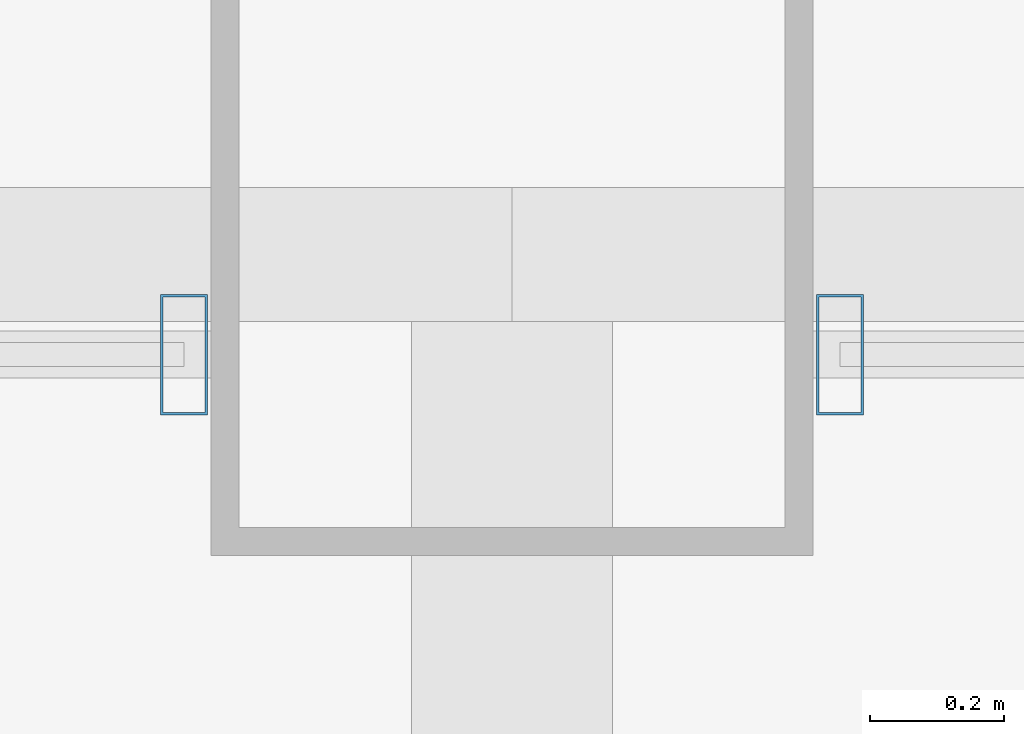
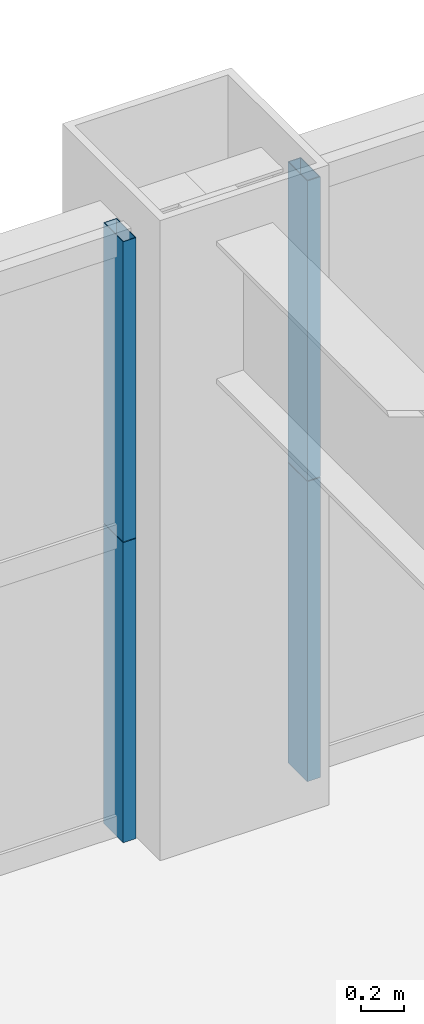
# One storey, part 30 of 43: 4 members, 2 elements without a shape of their own.
"""IFC4 building model written with IfcOpenShell, lengths in metres."""

from ifc_helpers import new_model, si_unit, direction, frame, origin, origin_2d, place, context, subcontext, project, spatial, hollow_rectangle, extrude, source, transform, mapped, material, layer, layer_set, material_profile, profile_set, type_object, element, aggregate, save


model = new_model("IFC4")

# Units and contexts
model_context = context("Model", 3, precision=1e-05, world=origin(), true_north=direction((0.0, 1.0)))
body_context = subcontext(model_context, "Body", "Model", "MODEL_VIEW")
ifc_project = project(units=[si_unit("LENGTHUNIT", "METRE"), si_unit("AREAUNIT", "SQUARE_METRE"), si_unit("VOLUMEUNIT", "CUBIC_METRE"), si_unit("PLANEANGLEUNIT", "RADIAN"), si_unit("MASSUNIT", "GRAM", prefix="KILO"), si_unit("THERMODYNAMICTEMPERATUREUNIT", "KELVIN"), si_unit("POWERUNIT", "WATT")], contexts=[model_context])

# Site, building, storey
site_placement = place(None, origin())
site = spatial("IfcSite", under=ifc_project, at=site_placement, CompositionType="ELEMENT")
building_placement = place(site_placement, origin())
building = spatial("IfcBuilding", under=site, at=building_placement, Name="Yuzanri Waterfront Tower", CompositionType="ELEMENT")
storey_placement = place(building_placement, frame((0.0, 0.0, 64.0)))
storey = spatial("IfcBuildingStorey", under=building, at=storey_placement, Name="L16", CompositionType="ELEMENT", Elevation=64.0)

# Curtain wall, members
ifc_material_1 = material(Name="Anodized Architectural Bronze", Category="metal")
ifc_layer = layer(ifc_material_1, 0.159912109375)
ifc_layer_set = layer_set([ifc_layer], Name="Anodized Architectural Bronze")
curtain_wall_type = type_object("IfcCurtainWallType", Name="Anodized Bronze Hotel Lower-Tier Recessed Unitized Curtain Wall 8100", PredefinedType="NOTDEFINED", material=ifc_layer_set)
curtain_wall_1_placement = place(storey_placement, origin())
curtain_wall_1 = element("IfcCurtainWall", 1, at=curtain_wall_1_placement, inside=storey, type_object=curtain_wall_type, Name="L16 Curtain Wall CW-L16-NL", PredefinedType="NOTDEFINED")
ifc_material_2 = material(Name="Anodized Architectural Bronze", Category="metal")
ifc_material_profile = material_profile(ifc_material_2, hollow_rectangle(XDim=0.070068359375, YDim=0.179931640625, WallThickness=0.00390625, at=origin_2d()), Name="CWM 70x180")
ifc_profile_set = profile_set([ifc_material_profile], Name="Anodized Architectural Bronze")
member_type = type_object("IfcMemberType", Name="Anodized Bronze Standard Curtain-Wall Mullion 70x180", PredefinedType="MULLION", material=ifc_profile_set)
shared_shape = source(origin(), body_context, "Body", "SweptSolid", [
    extrude(hollow_rectangle(XDim=0.070068359375, YDim=0.179931640625, WallThickness=0.00390625, at=origin_2d()), origin(), (0.0, 0.0, 1.0), 1.68798828125),
])
member_1_placement = place(storey_placement, frame((36.510009765625, 50.75, 0.0), z_axis=(0.0, 0.0, 1.0), x_axis=(1.0, 0.0, 0.0)))
member_1 = element("IfcMember", 2, at=member_1_placement, type_object=member_type, Name="CW-L16-NL Lower Mullion 02", PredefinedType="MULLION", context=body_context, shape_type="MappedRepresentation", body=[
    mapped(shared_shape, transform((0.0, 0.0, 0.0), scale=1.0)),
])
member_2_placement = place(storey_placement, frame((36.510009765625, 50.75, 1.69189453125), z_axis=(0.0, 0.0, 1.0), x_axis=(1.0, 0.0, 0.0)))
member_2 = element("IfcMember", 3, at=member_2_placement, type_object=member_type, Name="CW-L16-NL Upper Mullion 02", PredefinedType="MULLION", context=body_context, shape_type="MappedRepresentation", body=[
    mapped(shared_shape, transform((0.0, 0.0, 0.0), scale=1.0)),
])
aggregate(curtain_wall_1, [member_1, member_2])

curtain_wall_2_placement = place(storey_placement, origin())
curtain_wall_2 = element("IfcCurtainWall", 4, at=curtain_wall_2_placement, inside=storey, type_object=curtain_wall_type, Name="L16 Curtain Wall CW-L16-NR", PredefinedType="NOTDEFINED")
member_3_placement = place(storey_placement, frame((37.489990234375, 50.75, 0.0), z_axis=(0.0, 0.0, 1.0), x_axis=(1.0, 0.0, 0.0)))
member_3 = element("IfcMember", 5, at=member_3_placement, type_object=member_type, Name="CW-L16-NR Lower Mullion 00", PredefinedType="MULLION", context=body_context, shape_type="MappedRepresentation", body=[
    mapped(shared_shape, transform((0.0, 0.0, 0.0), scale=1.0)),
])
member_4_placement = place(storey_placement, frame((37.489990234375, 50.75, 1.69189453125), z_axis=(0.0, 0.0, 1.0), x_axis=(1.0, 0.0, 0.0)))
member_4 = element("IfcMember", 6, at=member_4_placement, type_object=member_type, Name="CW-L16-NR Upper Mullion 00", PredefinedType="MULLION", context=body_context, shape_type="MappedRepresentation", body=[
    mapped(shared_shape, transform((0.0, 0.0, 0.0), scale=1.0)),
])
aggregate(curtain_wall_2, [member_3, member_4])

save(model, "model.ifc")
